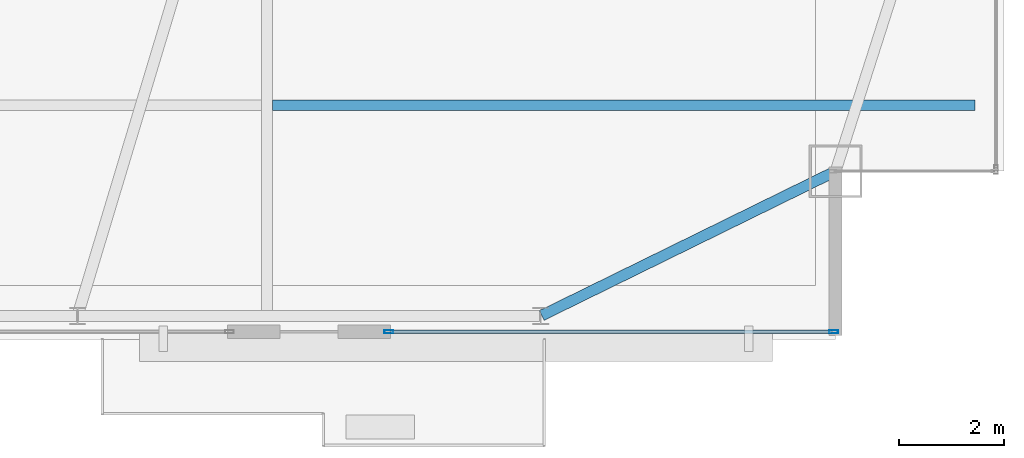
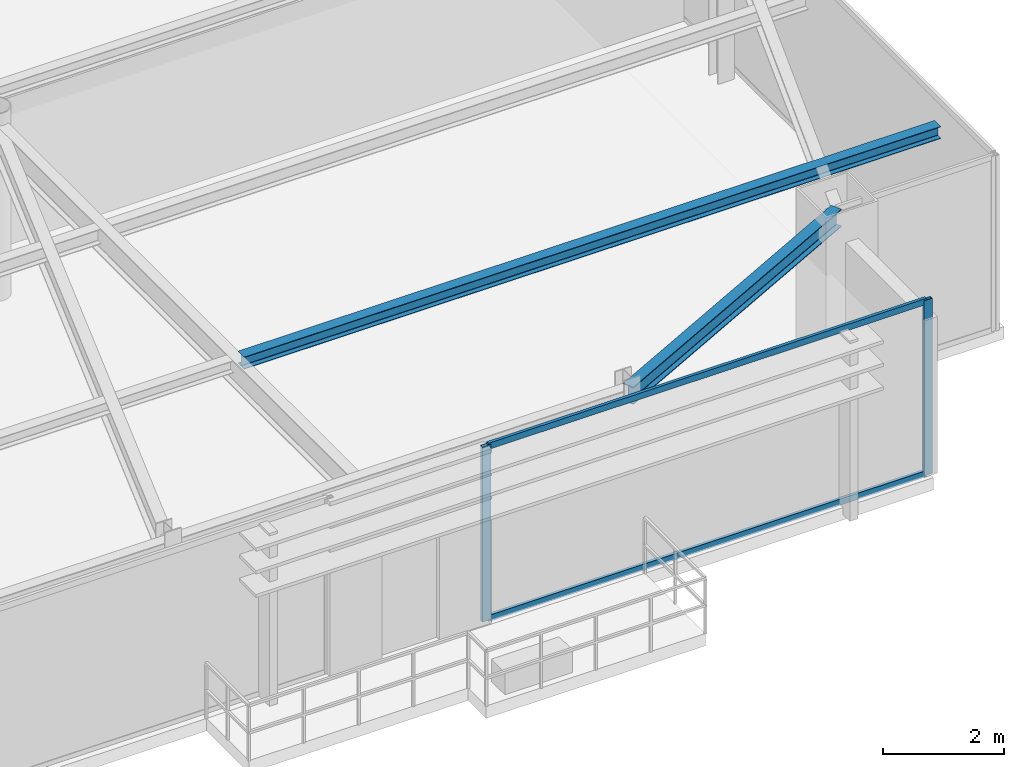
# One storey, part 11 of 24: 4 members, 2 beams, 1 element without a shape of its own.
"""IFC4 building model written with IfcOpenShell, lengths in metres."""

import ifcopenshell
import ifcopenshell.guid

model = None  # the IFC model being written
_history = None  # IfcOwnerHistory: only IFC2X3 demands one
_inside = {}  # id of a spatial element -> (the spatial element, [elements in it])
_under = {}  # id of a project, library or spatial element -> (it, [spatial elements below it])
_declared = {}  # id of a project -> (the project, [libraries it declares])
_typed = {}  # id of a type object -> (the type object, [elements of that type])
_made_of = {}  # id of a material, layer set ... -> (it, [elements and type objects made of it])


def new_model(schema):
    """Start an empty IFC model of exactly this schema.

    Asked for "IFC4X3", IfcOpenShell would pick the latest addendum, in which some entities
    have other attributes; the version numbers below select the first issue.
    IFC2X3 requires an IfcOwnerHistory on every rooted entity: one is made here for all.
    """
    global model, _history
    if schema == "IFC4X3":
        model = ifcopenshell.file(schema_version=(4, 3, 0, 0))
    else:
        model = ifcopenshell.file(schema=schema)
    _inside.clear()
    _under.clear()
    _declared.clear()
    _typed.clear()
    _made_of.clear()
    _history = None
    if model.schema == "IFC2X3":
        org = make("IfcOrganization", Name="unknown")
        user = make(
            "IfcPersonAndOrganization",
            ThePerson=make("IfcPerson", FamilyName="unknown"),
            TheOrganization=org,
        )
        app = make(
            "IfcApplication",
            ApplicationDeveloper=org,
            Version="unknown",
            ApplicationFullName="unknown",
            ApplicationIdentifier="unknown",
        )
        _history = make(
            "IfcOwnerHistory",
            OwningUser=user,
            OwningApplication=app,
            ChangeAction="ADDED",
            CreationDate=0,
        )
    return model


def make(cls, **values):
    """One entity of the class cls with the attributes given. An attribute that is None is left unset."""
    return model.create_entity(
        cls, **{name: value for name, value in values.items() if value is not None}
    )


def rooted(cls, **values):
    """An entity with a GlobalId (a new one), such as an element, a storey or a relation."""
    return make(cls, GlobalId=ifcopenshell.guid.new(), OwnerHistory=_history, **values)


def si_unit(unit_type, name, prefix=None):
    """IfcSIUnit, for example si_unit("LENGTHUNIT", "METRE", prefix="MILLI")."""
    return make("IfcSIUnit", UnitType=unit_type, Prefix=prefix, Name=name)


def assignment(units):
    """IfcUnitAssignment: the units of a project."""
    return None if units is None else make("IfcUnitAssignment", Units=units)


def point(xyz):
    """IfcCartesianPoint."""
    return None if xyz is None else make("IfcCartesianPoint", Coordinates=xyz)


def direction(xyz):
    """IfcDirection."""
    return None if xyz is None else make("IfcDirection", DirectionRatios=xyz)


def frame(location, z_axis=None, x_axis=None):
    """IfcAxis2Placement3D, a coordinate frame: its origin and axes. An axis left out is left unset."""
    return make(
        "IfcAxis2Placement3D",
        Location=point(location),
        Axis=direction(z_axis),
        RefDirection=direction(x_axis),
    )


def frame_2d(location, x_axis=None):
    """IfcAxis2Placement2D, a coordinate frame in the plane: its origin and x axis."""
    return make(
        "IfcAxis2Placement2D", Location=point(location), RefDirection=direction(x_axis)
    )


def origin():
    """The frame at (0, 0, 0) with its axes left unset."""
    return frame((0.0, 0.0, 0.0))


def origin_2d():
    """The frame at (0, 0) in the plane with its x axis left unset."""
    return frame_2d((0.0, 0.0))


def place(relative_to, where):
    """IfcLocalPlacement: puts the frame where relative to a parent placement (None: the world)."""
    return make(
        "IfcLocalPlacement", PlacementRelTo=relative_to, RelativePlacement=where
    )


def context(
    kind, dimensions, precision=None, world=None, true_north=None, identifier=None
):
    """IfcGeometricRepresentationContext, for example the 3D "Model" context."""
    return make(
        "IfcGeometricRepresentationContext",
        ContextIdentifier=identifier,
        ContextType=kind,
        CoordinateSpaceDimension=dimensions,
        Precision=precision,
        WorldCoordinateSystem=world,
        TrueNorth=true_north,
    )


def subcontext(parent, identifier, kind, view, scale=None):
    """IfcGeometricRepresentationSubContext, for example "Body" below "Model"."""
    return make(
        "IfcGeometricRepresentationSubContext",
        ContextIdentifier=identifier,
        ContextType=kind,
        ParentContext=parent,
        TargetScale=scale,
        TargetView=view,
    )


def project(units=None, contexts=None):
    """IfcProject with its units and contexts."""
    return rooted(
        "IfcProject",
        Name="project",
        RepresentationContexts=contexts,
        UnitsInContext=assignment(units),
    )


def spatial(cls, under=None, at=None, **own):
    """A site, building, storey or space (cls), placed at a placement, below another one or the project."""
    s = rooted(cls, ObjectPlacement=at, **own)
    if under is not None:
        _under.setdefault(under.id(), (under, []))[1].append(s)
    return s


def profile(cls, at=None, kind="AREA", **sizes):
    """A parametric profile (cls). Its sizes go by their IFC names, for example OverallWidth=200.0."""
    return make(cls, ProfileType=kind, Position=at, **sizes)


def hollow_rectangle(**sizes):
    """IfcRectangleHollowProfileDef."""
    return profile("IfcRectangleHollowProfileDef", **sizes)


def i_section(**sizes):
    """IfcIShapeProfileDef."""
    return profile("IfcIShapeProfileDef", **sizes)


def extrude(swept, where, along, depth):
    """IfcExtrudedAreaSolid: the profile swept, set in the frame where, extruded along a direction by depth."""
    return make(
        "IfcExtrudedAreaSolid",
        SweptArea=swept,
        Position=where,
        ExtrudedDirection=direction(along),
        Depth=depth,
    )


def shape(context_of_items, identifier, shape_type, items):
    """IfcShapeRepresentation: the items that make up one representation, for example the "Body"."""
    return make(
        "IfcShapeRepresentation",
        ContextOfItems=context_of_items,
        RepresentationIdentifier=identifier,
        RepresentationType=shape_type,
        Items=items,
    )


def source(mapping_origin, context_of_items, identifier, shape_type, items):
    """IfcRepresentationMap: a shape defined once, which mapped items show again and again."""
    return make(
        "IfcRepresentationMap",
        MappingOrigin=mapping_origin,
        MappedRepresentation=shape(context_of_items, identifier, shape_type, items),
    )


def transform(
    local_origin,
    x_axis=None,
    y_axis=None,
    z_axis=None,
    scale=None,
    scale2=None,
    scale3=None,
    uniform=True,
):
    """IfcCartesianTransformationOperator3D, or its non-uniform kind. x_axis, y_axis, z_axis: its Axis1, 2, 3."""
    if uniform:
        return make(
            "IfcCartesianTransformationOperator3D",
            Axis1=direction(x_axis),
            Axis2=direction(y_axis),
            LocalOrigin=point(local_origin),
            Scale=scale,
            Axis3=direction(z_axis),
        )
    return make(
        "IfcCartesianTransformationOperator3DnonUniform",
        Axis1=direction(x_axis),
        Axis2=direction(y_axis),
        LocalOrigin=point(local_origin),
        Scale=scale,
        Axis3=direction(z_axis),
        Scale2=scale2,
        Scale3=scale3,
    )


def mapped(mapping_source, mapping_target):
    """IfcMappedItem: shows the shape of a source again, moved by a transform."""
    return make(
        "IfcMappedItem", MappingSource=mapping_source, MappingTarget=mapping_target
    )


def material(Name=None, Category=None):
    """IfcMaterial."""
    return make("IfcMaterial", Name=Name, Category=Category)


def layer(
    of_material, thickness, ventilated=None, Name=None, Category=None, Priority=None
):
    """IfcMaterialLayer: one layer of a wall or slab, of a material (None: an air gap)."""
    return make(
        "IfcMaterialLayer",
        Material=of_material,
        LayerThickness=thickness,
        IsVentilated=ventilated,
        Name=Name,
        Category=Category,
        Priority=Priority,
    )


def layer_set(layers, Name=None):
    """IfcMaterialLayerSet."""
    return make("IfcMaterialLayerSet", MaterialLayers=layers, LayerSetName=Name)


def material_profile(
    of_material, cross_section, Name=None, Category=None, Priority=None
):
    """IfcMaterialProfile: a cross section and its material."""
    return make(
        "IfcMaterialProfile",
        Name=Name,
        Material=of_material,
        Profile=cross_section,
        Priority=Priority,
        Category=Category,
    )


def profile_set(profiles, Name=None, composite=None):
    """IfcMaterialProfileSet."""
    return make(
        "IfcMaterialProfileSet",
        Name=Name,
        MaterialProfiles=profiles,
        CompositeProfile=composite,
    )


def made_of(thing, what):
    """Note that an element or type object is made of a material, layer set ...; save() writes the relation."""
    if what is not None:
        _made_of.setdefault(what.id(), (what, []))[1].append(thing)
    return thing


def type_object(cls, material=None, **own):
    """A type object (cls), such as IfcWallType, which elements share."""
    return made_of(rooted(cls, **own), material)


def type_shapes(of_type, sources):
    """Give a type object the sources (RepresentationMaps) that its elements show as mapped items."""
    of_type.RepresentationMaps = sources


def element(
    cls,
    number,
    at=None,
    inside=None,
    cuts=None,
    type_object=None,
    material=None,
    context=None,
    identifier="Body",
    shape_type=None,
    held_by="IfcProductDefinitionShape",
    body=None,
    shapes=None,
    **own,
):
    """One element of the class cls, such as IfcWall. Its Tag is "e" and its number.

    at: its placement. inside: the storey or other place that contains it. cuts: it is an
    opening in that element (IfcRelVoidsElement). A single representation is given by context,
    identifier, shape_type and body (its items); several are given by shapes. held_by: the class
    of the entity that holds the representations. save() writes the other relations.
    """
    e = rooted(cls, Tag="e%d" % number, ObjectPlacement=at, **own)
    if body is not None:
        shapes = [shape(context, identifier, shape_type, body)]
    if shapes is not None:
        e.Representation = make(held_by, Representations=shapes)
    if inside is not None:
        _inside.setdefault(inside.id(), (inside, []))[1].append(e)
    if cuts is not None:
        rooted(
            "IfcRelVoidsElement", RelatingBuildingElement=cuts, RelatedOpeningElement=e
        )
    if type_object is not None:
        _typed.setdefault(type_object.id(), (type_object, []))[1].append(e)
    return made_of(e, material)


def aggregate(whole, parts):
    """IfcRelAggregates: a whole, such as a stair, and the parts it consists of."""
    return rooted("IfcRelAggregates", RelatingObject=whole, RelatedObjects=parts)


def save(model, path):
    """Write the relations noted so far, then the file.

    IfcRelAggregates (storeys below a building ...), IfcRelContainedInSpatialStructure (elements
    in a storey), IfcRelDefinesByType, IfcRelAssociatesMaterial and IfcRelDeclares: one each for
    every whole, place, type object, material and project.
    """
    for whole, parts in _under.values():
        aggregate(whole, parts)
    for where, things in _inside.values():
        rooted(
            "IfcRelContainedInSpatialStructure",
            RelatedElements=things,
            RelatingStructure=where,
        )
    for kind, things in _typed.values():
        rooted("IfcRelDefinesByType", RelatedObjects=things, RelatingType=kind)
    for what, things in _made_of.values():
        rooted("IfcRelAssociatesMaterial", RelatedObjects=things, RelatingMaterial=what)
    for by, libraries in _declared.values():
        rooted("IfcRelDeclares", RelatingContext=by, RelatedDefinitions=libraries)
    model.write(path)


model = new_model("IFC4")

# Units and contexts
model_context = context("Model", 3, precision=1e-05, world=origin(), true_north=direction((0.0, 1.0)))
body_context = subcontext(model_context, "Body", "Model", "MODEL_VIEW")
ifc_project = project(units=[si_unit("LENGTHUNIT", "METRE"), si_unit("AREAUNIT", "SQUARE_METRE"), si_unit("VOLUMEUNIT", "CUBIC_METRE"), si_unit("PLANEANGLEUNIT", "RADIAN"), si_unit("MASSUNIT", "GRAM", prefix="KILO")], contexts=[model_context])

# Site, building, storey
site_placement = place(None, origin())
site = spatial("IfcSite", under=ifc_project, at=site_placement, CompositionType="ELEMENT")
building_placement = place(site_placement, origin())
building = spatial("IfcBuilding", under=site, at=building_placement, Name="Varnel Quay Broadcast Tower", CompositionType="ELEMENT")
storey_placement = place(building_placement, frame((0.0, 0.0, 281.199951171875)))
storey = spatial("IfcBuildingStorey", under=building, at=storey_placement, Name="L70", CompositionType="ELEMENT", Elevation=281.199951171875)

# Beams
ifc_material_1 = material(Name="Structural Steel CSA G40.21 350W", Category="steel")
ifc_material_profile_1 = material_profile(ifc_material_1, i_section(OverallWidth=0.205078125, OverallDepth=0.35400390625, WebThickness=0.009521484375, FlangeThickness=0.016845703125, FilletRadius=0.012939453125, at=origin_2d()), Name="W360X79")
ifc_profile_set_1 = profile_set([ifc_material_profile_1], Name="Structural Steel CSA G40.21 350W")
beam_type_1 = type_object("IfcBeamType", Name="Beam_W360X79", PredefinedType="SPANDREL", material=ifc_profile_set_1)
shared_shape_1 = source(origin(), body_context, "Body", "SweptSolid", [
    extrude(i_section(OverallWidth=0.205078125, OverallDepth=0.35400390625, WebThickness=0.009521484375, FlangeThickness=0.016845703125, FilletRadius=0.012939453125, at=origin_2d()), origin(), (0.0, 0.0, 1.0), 6.19873046875),
])
type_shapes(beam_type_1, [shared_shape_1])
beam_1_placement = place(storey_placement, frame((47.218017578125, 13.65869140625, 3.373046875), z_axis=(0.897602447358, 0.440805905697, 0.0), x_axis=(-0.440805905697, 0.897602447358, 0.0)))
element("IfcBeam", 1, at=beam_1_placement, inside=storey, type_object=beam_type_1, Name="L70 South Spandrel TC-S4-MC-SE", PredefinedType="SPANDREL", context=body_context, shape_type="MappedRepresentation", body=[
    mapped(shared_shape_1, transform((0.0, 0.0, 0.0), x_axis=(1.0, 0.0, 0.0), y_axis=(0.0, 1.0, 0.0), z_axis=(0.0, 0.0, 1.0), scale=1.0)),
])
ifc_material_profile_2 = material_profile(ifc_material_1, i_section(OverallWidth=0.201904296875, OverallDepth=0.2470703125, WebThickness=0.00732421875, FlangeThickness=0.010986328125, FilletRadius=0.010986328125, at=origin_2d()), Name="W250X49")
ifc_profile_set_2 = profile_set([ifc_material_profile_2], Name="Structural Steel CSA G40.21 350W")
beam_type_2 = type_object("IfcBeamType", Name="Beam_W250X49", PredefinedType="JOIST", material=ifc_profile_set_2)
shared_shape_2 = source(origin(), body_context, "Body", "SweptSolid", [
    extrude(i_section(OverallWidth=0.201904296875, OverallDepth=0.2470703125, WebThickness=0.00732421875, FlangeThickness=0.010986328125, FilletRadius=0.010986328125, at=origin_2d()), origin(), (0.0, 0.0, 1.0), 13.351318359375),
])
type_shapes(beam_type_2, [shared_shape_2])
beam_2_placement = place(storey_placement, frame((42.10107421875, 17.64990234375, 3.426513671875), z_axis=(1.0, 0.0, 0.0), x_axis=(0.0, 1.0, 0.0)))
element("IfcBeam", 2, at=beam_2_placement, inside=storey, type_object=beam_type_2, Name="L70 East Floor Joist 1", PredefinedType="JOIST", context=body_context, shape_type="MappedRepresentation", body=[
    mapped(shared_shape_2, transform((0.0, 0.0, 0.0), x_axis=(1.0, 0.0, 0.0), y_axis=(0.0, 1.0, 0.0), z_axis=(0.0, 0.0, 1.0), scale=1.0)),
])

# Curtain wall, members
ifc_material_2 = material(Name="Anodised Bronze Aluminium 6063-T6", Category="aluminium")
ifc_layer = layer(ifc_material_2, 0.18994140625, Name="Anodised Bronze Aluminium 6063-T6")
ifc_layer_set = layer_set([ifc_layer], Name="Anodised Bronze Aluminium 6063-T6")
curtain_wall_type = type_object("IfcCurtainWallType", Name="CW_UpperTower", PredefinedType="NOTDEFINED", material=ifc_layer_set)
curtain_wall_placement = place(storey_placement, origin())
curtain_wall = element("IfcCurtainWall", 3, at=curtain_wall_placement, inside=storey, type_object=curtain_wall_type, Name="L70 South Unitised Curtain Wall 3", PredefinedType="NOTDEFINED")
ifc_material_profile_3 = material_profile(ifc_material_2, hollow_rectangle(XDim=0.06494140625, YDim=0.1650390625, WallThickness=0.00341796875, at=origin_2d()), Name="ALU65X165X3.5")
ifc_profile_set_3 = profile_set([ifc_material_profile_3], Name="Anodised Bronze Aluminium 6063-T6")
member_type_1 = type_object("IfcMemberType", Name="Mull_CWS-03", PredefinedType="MULLION", material=ifc_profile_set_3)
shared_shape_3 = source(origin(), body_context, "Body", "SweptSolid", [
    extrude(hollow_rectangle(XDim=0.06494140625, YDim=0.1650390625, WallThickness=0.00341796875, at=origin_2d()), origin(), (0.0, 0.0, 1.0), 3.550048828125),
])
type_shapes(member_type_1, [shared_shape_3])
member_1_placement = place(storey_placement, frame((44.3125, 13.35009765625, 0.0), z_axis=(0.0, 0.0, 1.0), x_axis=(0.0, 1.0, 0.0)))
member_1 = element("IfcMember", 4, at=member_1_placement, type_object=member_type_1, Name="CWS-03 mullion 1", PredefinedType="MULLION", context=body_context, shape_type="MappedRepresentation", body=[
    mapped(shared_shape_3, transform((0.0, 0.0, 0.0), x_axis=(1.0, 0.0, 0.0), y_axis=(0.0, 1.0, 0.0), z_axis=(0.0, 0.0, 1.0), scale=1.0)),
])
member_2_placement = place(storey_placement, frame((52.767578125, 13.35009765625, 0.0), z_axis=(0.0, 0.0, 1.0), x_axis=(0.0, 1.0, 0.0)))
member_2 = element("IfcMember", 5, at=member_2_placement, type_object=member_type_1, Name="CWS-03 mullion 2", PredefinedType="MULLION", context=body_context, shape_type="MappedRepresentation", body=[
    mapped(shared_shape_3, transform((0.0, 0.0, 0.0), x_axis=(1.0, 0.0, 0.0), y_axis=(0.0, 1.0, 0.0), z_axis=(0.0, 0.0, 1.0), scale=1.0)),
])
ifc_material_profile_4 = material_profile(ifc_material_2, hollow_rectangle(XDim=0.06005859375, YDim=0.125, WallThickness=0.0029296875, at=origin_2d()), Name="ALU60X125X3")
ifc_profile_set_4 = profile_set([ifc_material_profile_4], Name="Anodised Bronze Aluminium 6063-T6")
member_type_2 = type_object("IfcMemberType", Name="Tran_CWS-03", PredefinedType="USERDEFINED", material=ifc_profile_set_4)
shared_shape_4 = source(origin(), body_context, "Body", "SweptSolid", [
    extrude(hollow_rectangle(XDim=0.06005859375, YDim=0.125, WallThickness=0.0029296875, at=origin_2d()), origin(), (0.0, 0.0, 1.0), 8.39013671875),
])
type_shapes(member_type_2, [shared_shape_4])
member_3_placement = place(storey_placement, frame((44.344970703125, 13.35009765625, 0.030029296875), z_axis=(1.0, 0.0, 0.0), x_axis=(0.0, 1.0, 0.0)))
member_3 = element("IfcMember", 6, at=member_3_placement, type_object=member_type_2, Name="CWS-03 transom 1.1", ObjectType="TRANSOM", PredefinedType="USERDEFINED", context=body_context, shape_type="MappedRepresentation", body=[
    mapped(shared_shape_4, transform((0.0, 0.0, 0.0), x_axis=(1.0, 0.0, 0.0), y_axis=(0.0, 1.0, 0.0), z_axis=(0.0, 0.0, 1.0), scale=1.0)),
])
member_4_placement = place(storey_placement, frame((44.344970703125, 13.35009765625, 3.52001953125), z_axis=(1.0, 0.0, 0.0), x_axis=(0.0, 1.0, 0.0)))
member_4 = element("IfcMember", 7, at=member_4_placement, type_object=member_type_2, Name="CWS-03 transom 1.2", ObjectType="TRANSOM", PredefinedType="USERDEFINED", context=body_context, shape_type="MappedRepresentation", body=[
    mapped(shared_shape_4, transform((0.0, 0.0, 0.0), x_axis=(1.0, 0.0, 0.0), y_axis=(0.0, 1.0, 0.0), z_axis=(0.0, 0.0, 1.0), scale=1.0)),
])
aggregate(curtain_wall, [member_1, member_2, member_3, member_4])

save(model, "model.ifc")
